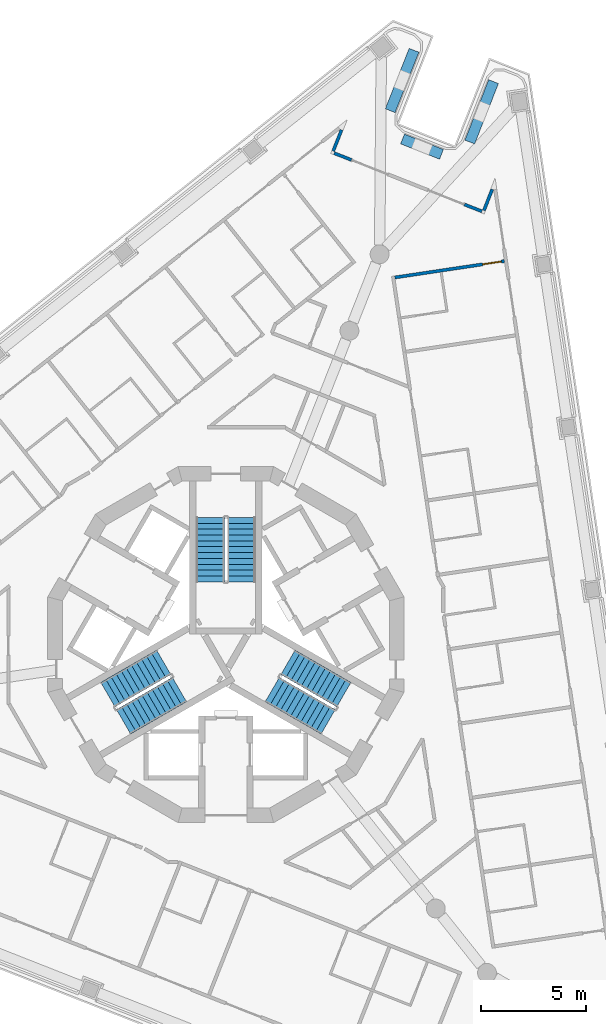
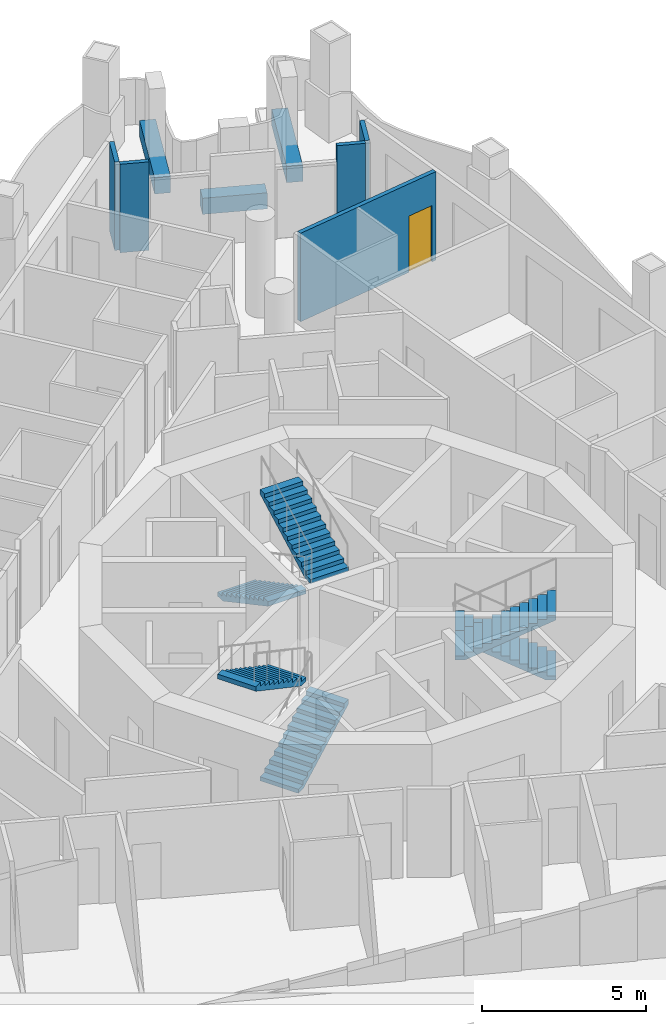
# One storey, part 10 of 17: 8 walls, 6 stair flights, 1 door, 1 opening, 3 elements without a shape of their own.
"""IFC4 building model written with IfcOpenShell, lengths in metres."""

from ifc_helpers import new_model, si_unit, direction, frame, frame_2d, origin, place, context, subcontext, project, spatial, polyline, rectangle, outline, extrude, material, layer, layer_set, type_object, element, fill, aggregate, save


model = new_model("IFC4")

# Units and contexts
model_context = context("Model", 3, precision=1e-05, world=origin(), true_north=direction((0.0, 1.0)))
body_context = subcontext(model_context, "Body", "Model", "MODEL_VIEW")
ifc_project = project(units=[si_unit("LENGTHUNIT", "METRE"), si_unit("AREAUNIT", "SQUARE_METRE"), si_unit("VOLUMEUNIT", "CUBIC_METRE"), si_unit("PLANEANGLEUNIT", "RADIAN"), si_unit("MASSUNIT", "GRAM", prefix="KILO")], contexts=[model_context])

# Site, building, storey
site_placement = place(None, origin())
site = spatial("IfcSite", under=ifc_project, at=site_placement, CompositionType="ELEMENT")
building_placement = place(site_placement, origin())
building = spatial("IfcBuilding", under=site, at=building_placement, Name="Trine Commons Tower", CompositionType="ELEMENT")
storey_placement = place(building_placement, frame((0.0, 0.0, 216.0)))
storey = spatial("IfcBuildingStorey", under=building, at=storey_placement, Name="L56", CompositionType="ELEMENT", Elevation=216.0)

# Walls
ifc_material_1 = material(Name="Aluminium-framed insulated wall panel", Category="aluminium")
ifc_layer_1 = layer(ifc_material_1, 0.14990234375)
ifc_layer_set_1 = layer_set([ifc_layer_1], Name="Aluminium-framed insulated wall panel")
wall_type_1 = type_object("IfcWallType", Name="Glazed frame wall 150, EI 60", PredefinedType="SOLIDWALL", material=ifc_layer_set_1)
wall_1_placement = place(storey_placement, frame((85.575927734375, 87.201171875, 0.0), z_axis=(0.0, 0.0, 1.0), x_axis=(-0.366472142006, -0.930429024232, 0.0)))
element("IfcWall", 1, at=wall_1_placement, inside=storey, type_object=wall_type_1, Name="Glazed frame wall R2", PredefinedType="SOLIDWALL", context=body_context, shape_type="SweptSolid", body=[
    extrude(outline(polyline([(0.1494140625, 0.074951171875), (0.1494140625, -0.074951171875), (1.235107421875, -0.074951171875), (1.235107421875, 0.074951171875), (0.1494140625, 0.074951171875)])), origin(), (0.0, 0.0, 1.0), 3.300048828125),
])
wall_2_placement = place(storey_placement, frame((85.063232421875, 85.9951171875, 0.0), z_axis=(0.0, 0.0, 1.0), x_axis=(0.930433620143, -0.366460473323, 0.0)))
element("IfcWall", 2, at=wall_2_placement, inside=storey, type_object=wall_type_1, Name="Glazed frame wall P1.1", PredefinedType="SOLIDWALL", context=body_context, shape_type="SweptSolid", body=[
    extrude(outline(polyline([(0.110107421875, -0.074951171875), (1.0, -0.074951171875), (1.0, 0.074951171875), (0.110107421875, 0.074951171875), (0.110107421875, -0.074951171875)])), origin(), (0.0, 0.0, 1.0), 3.300048828125),
])
wall_3_placement = place(storey_placement, frame((91.39013671875, 83.502685546875, 0.0), z_axis=(0.0, 0.0, 1.0), x_axis=(0.930433620143, -0.366460473323, 0.0)))
element("IfcWall", 3, at=wall_3_placement, inside=storey, type_object=wall_type_1, Name="Glazed frame wall P1.5", PredefinedType="SOLIDWALL", context=body_context, shape_type="SweptSolid", body=[
    extrude(outline(polyline([(0.889892578125, 0.074951171875), (0.0, 0.074951171875), (0.0, -0.074951171875), (0.889892578125, -0.074951171875), (0.889892578125, 0.074951171875)])), origin(), (0.0, 0.0, 1.0), 3.300048828125),
])
wall_4_placement = place(storey_placement, frame((92.275146484375, 83.11669921875, 0.0), z_axis=(0.0, 0.0, 1.0), x_axis=(0.366534042844, 0.9304046407, 0.0)))
element("IfcWall", 4, at=wall_4_placement, inside=storey, type_object=wall_type_1, Name="Glazed frame wall R4", PredefinedType="SOLIDWALL", context=body_context, shape_type="SweptSolid", body=[
    extrude(outline(polyline([(0.110107421875, 0.074951171875), (0.110107421875, -0.074951171875), (1.19580078125, -0.074951171875), (1.19580078125, 0.074951171875), (0.110107421875, 0.074951171875)])), origin(), (0.0, 0.0, 1.0), 3.300048828125),
])
ifc_material_2 = material(Name="Planter trough, precast concrete C40/50", Category="concrete")
ifc_layer_2 = layer(ifc_material_2, 0.5)
ifc_layer_set_2 = layer_set([ifc_layer_2], Name="Planter trough, precast concrete C40/50")
wall_type_2 = type_object("IfcWallType", Name="Planter trough 500x600", PredefinedType="PARAPET", material=ifc_layer_set_2)
wall_5_placement = place(storey_placement, frame((88.97998046875, 90.86328125, 0.0), z_axis=(0.0, 0.0, 1.0), x_axis=(-0.366456340628, -0.930435247835, 0.0)))
element("IfcWall", 5, at=wall_5_placement, inside=storey, type_object=wall_type_2, Name="Planter 4", PredefinedType="PARAPET", context=body_context, shape_type="SweptSolid", body=[
    extrude(rectangle(XDim=3.099853515625, YDim=0.5, at=frame_2d((1.5498046875, 0.0))), origin(), (0.0, 0.0, 1.0), 0.60009765625),
])
wall_6_placement = place(storey_placement, frame((88.430419921875, 86.630126953125, 0.0), z_axis=(0.0, 0.0, 1.0), x_axis=(0.930417223886, -0.366502100263, 0.0)))
element("IfcWall", 6, at=wall_6_placement, inside=storey, type_object=wall_type_2, Name="Planter 5", PredefinedType="PARAPET", context=body_context, shape_type="SweptSolid", body=[
    extrude(rectangle(XDim=1.999755859375, YDim=0.5, at=frame_2d((1.0, 0.0))), origin(), (0.0, 0.0, 1.0), 0.60009765625),
])
wall_7_placement = place(storey_placement, frame((91.639892578125, 86.483642578125, 0.0), z_axis=(0.0, 0.0, 1.0), x_axis=(0.366524518382, 0.930408392817, 0.0)))
element("IfcWall", 7, at=wall_7_placement, inside=storey, type_object=wall_type_2, Name="Planter 6", PredefinedType="PARAPET", context=body_context, shape_type="SweptSolid", body=[
    extrude(rectangle(XDim=3.10009765625, YDim=0.5, at=frame_2d((1.550048828125, 0.0))), origin(), (0.0, 0.0, 1.0), 0.60009765625),
])

# Wall, opening, door
ifc_material_3 = material(Name="Gypsum plasterboard on steel stud", Category="steel")
ifc_layer_3 = layer(ifc_material_3, 0.14990234375)
ifc_layer_set_3 = layer_set([ifc_layer_3], Name="Gypsum plasterboard on steel stud")
wall_type_3 = type_object("IfcWallType", Name="Unit and corridor wall 150 mm, EI 60", PredefinedType="PARTITIONING", material=ifc_layer_set_3)
wall_8_placement = place(storey_placement, frame((88.064208984375, 80.02099609375, 0.0), z_axis=(0.0, 0.0, 1.0), x_axis=(0.988994889639, 0.147949681543, 0.0)))
wall_8 = element("IfcWall", 8, at=wall_8_placement, inside=storey, type_object=wall_type_3, Name="Partition 105", PredefinedType="PARTITIONING", context=body_context, shape_type="SweptSolid", body=[
    extrude(rectangle(XDim=5.285400390625, YDim=0.14990234375, at=frame_2d((2.642578125, 0.0))), origin(), (0.0, 0.0, 1.0), 3.300048828125),
])
opening_placement = place(wall_8_placement, frame((4.2353515625, 0.0, 0.0)))
opening = element("IfcOpeningElement", 9, at=opening_placement, cuts=wall_8, Name="Opening D-6B13", PredefinedType="OPENING", context=body_context, shape_type="SweptSolid", body=[
    extrude(rectangle(XDim=0.89990234375, YDim=2.10009765625, at=frame_2d((0.449951171875, 1.050048828125))), frame((0.0, 0.0849609375, 0.0), z_axis=(0.0, -1.0, 0.0), x_axis=(1.0, 0.0, 0.0)), (0.0, 0.0, 1.0), 0.169921875),
])
ifc_material_4 = material(Name="Timber fire door set", Category="wood")
door_type = type_object("IfcDoorType", Name="Bedroom door 900 x 2100, FD30S", OperationType="NOTDEFINED", PredefinedType="DOOR", material=ifc_material_4)
door_placement = place(opening_placement, frame((0.89990234375, 0.0, 0.0), z_axis=(0.0, 0.0, 1.0), x_axis=(-1.0, 0.0, 0.0)))
door = element("IfcDoor", 10, at=door_placement, inside=storey, type_object=door_type, Name="Door D-6B13", OperationType="SINGLE_SWING_LEFT", OverallHeight=2.10009765625, OverallWidth=0.89990234375, PredefinedType="DOOR", context=body_context, shape_type="SweptSolid", body=[
    extrude(rectangle(XDim=0.89990234375, YDim=2.10009765625, at=frame_2d((0.449951171875, 1.050048828125))), frame((0.0, 0.02490234375, 0.0), z_axis=(0.0, -1.0, 0.0), x_axis=(1.0, 0.0, 0.0)), (0.0, 0.0, 1.0), 0.050048828125),
])
fill(opening, door)

# Stair, stair flights
ifc_material_5 = material(Name="Concrete C50/60", Category="concrete")
stair_type = type_object("IfcStairType", Name="Exit stair, dog-leg, 24 risers of 150 mm", PredefinedType="HALF_TURN_STAIR", material=ifc_material_5)
stair_1_placement = place(storey_placement, origin())
stair_1 = element("IfcStair", 11, at=stair_1_placement, inside=storey, type_object=stair_type, Name="L56 Exit stair ST1C", PredefinedType="HALF_TURN_STAIR")
stair_flight_type = type_object("IfcStairFlightType", Name="Stair flight, 1350 wide, 12 risers of 150 mm", PredefinedType="STRAIGHT", material=ifc_material_5)
stair_flight_1_placement = place(storey_placement, frame((79.25, 68.570556640625, 0.0), z_axis=(0.0, 0.0, 1.0), x_axis=(0.0, -1.0, 0.0)))
stair_flight_1 = element("IfcStairFlight", 12, at=stair_flight_1_placement, type_object=stair_flight_type, Name="ST1C flight 1", NumberOfRisers=12, NumberOfTreads=11, PredefinedType="STRAIGHT", RiserHeight=0.15, TreadLength=0.28, context=body_context, shape_type="SweptSolid", body=[
    extrude(outline(polyline([(0.0, 0.0), (0.0, 0.14990234375), (0.280029296875, 0.14990234375), (0.280029296875, 0.300048828125), (0.56005859375, 0.300048828125), (0.56005859375, 0.449951171875), (0.840087890625, 0.449951171875), (0.840087890625, 0.60009765625), (1.1201171875, 0.60009765625), (1.1201171875, 0.75), (1.39990234375, 0.75), (1.39990234375, 0.89990234375), (1.679931640625, 0.89990234375), (1.679931640625, 1.050048828125), (1.9599609375, 1.050048828125), (1.9599609375, 1.199951171875), (2.239990234375, 1.199951171875), (2.239990234375, 1.35009765625), (2.52001953125, 1.35009765625), (2.52001953125, 1.5), (2.800048828125, 1.5), (2.800048828125, 1.64990234375), (3.080078125, 1.64990234375), (3.080078125, 1.800048828125), (3.080078125, 1.47998046875), (0.3173828125, 0.0), (0.0, 0.0)])), frame((0.0, 0.675048828125, 0.0), z_axis=(0.0, -1.0, 0.0), x_axis=(1.0, 0.0, 0.0)), (0.0, 0.0, 1.0), 1.35009765625),
])
stair_flight_2_placement = place(storey_placement, frame((80.75, 65.490478515625, 1.800048828125), z_axis=(0.0, 0.0, 1.0), x_axis=(0.0, 1.0, 0.0)))
stair_flight_2 = element("IfcStairFlight", 13, at=stair_flight_2_placement, type_object=stair_flight_type, Name="ST1C flight 2", NumberOfRisers=12, NumberOfTreads=11, PredefinedType="STRAIGHT", RiserHeight=0.15, TreadLength=0.28, context=body_context, shape_type="SweptSolid", body=[
    extrude(outline(polyline([(0.0, 0.0), (0.0, 0.14990234375), (0.280029296875, 0.14990234375), (0.280029296875, 0.300048828125), (0.56005859375, 0.300048828125), (0.56005859375, 0.449951171875), (0.840087890625, 0.449951171875), (0.840087890625, 0.60009765625), (1.1201171875, 0.60009765625), (1.1201171875, 0.75), (1.39990234375, 0.75), (1.39990234375, 0.89990234375), (1.679931640625, 0.89990234375), (1.679931640625, 1.050048828125), (1.9599609375, 1.050048828125), (1.9599609375, 1.199951171875), (2.239990234375, 1.199951171875), (2.239990234375, 1.35009765625), (2.52001953125, 1.35009765625), (2.52001953125, 1.5), (2.800048828125, 1.5), (2.800048828125, 1.64990234375), (3.080078125, 1.64990234375), (3.080078125, 1.800048828125), (3.080078125, 1.47998046875), (0.3173828125, 0.0), (0.0, 0.0)])), frame((0.0, 0.675048828125, 0.0), z_axis=(0.0, -1.0, 0.0), x_axis=(1.0, 0.0, 0.0)), (0.0, 0.0, 1.0), 1.35009765625),
])
aggregate(stair_1, [stair_flight_1, stair_flight_2])

stair_2_placement = place(storey_placement, origin())
stair_2 = element("IfcStair", 14, at=stair_2_placement, inside=storey, type_object=stair_type, Name="L56 Exit stair ST2C", PredefinedType="HALF_TURN_STAIR")
stair_flight_3_placement = place(storey_placement, frame((75.11767578125, 58.815185546875, 0.0), z_axis=(0.0, 0.0, 1.0), x_axis=(0.866025403784, 0.5, 0.0)))
stair_flight_3 = element("IfcStairFlight", 15, at=stair_flight_3_placement, type_object=stair_flight_type, Name="ST2C flight 1", NumberOfRisers=12, NumberOfTreads=11, PredefinedType="STRAIGHT", RiserHeight=0.15, TreadLength=0.28, context=body_context, shape_type="SweptSolid", body=[
    extrude(outline(polyline([(0.0, 0.0), (0.0, 0.14990234375), (0.280029296875, 0.14990234375), (0.280029296875, 0.300048828125), (0.56005859375, 0.300048828125), (0.56005859375, 0.449951171875), (0.840087890625, 0.449951171875), (0.840087890625, 0.60009765625), (1.1201171875, 0.60009765625), (1.1201171875, 0.75), (1.39990234375, 0.75), (1.39990234375, 0.89990234375), (1.679931640625, 0.89990234375), (1.679931640625, 1.050048828125), (1.9599609375, 1.050048828125), (1.9599609375, 1.199951171875), (2.239990234375, 1.199951171875), (2.239990234375, 1.35009765625), (2.52001953125, 1.35009765625), (2.52001953125, 1.5), (2.800048828125, 1.5), (2.800048828125, 1.64990234375), (3.080078125, 1.64990234375), (3.080078125, 1.800048828125), (3.080078125, 1.47998046875), (0.3173828125, 0.0), (0.0, 0.0)])), frame((0.0, 0.675048828125, 0.0), z_axis=(0.0, -1.0, 0.0), x_axis=(1.0, 0.0, 0.0)), (0.0, 0.0, 1.0), 1.35009765625),
])
stair_flight_4_placement = place(storey_placement, frame((77.03515625, 61.654296875, 1.800048828125), z_axis=(0.0, 0.0, 1.0), x_axis=(-0.866025403784, -0.5, 0.0)))
stair_flight_4 = element("IfcStairFlight", 16, at=stair_flight_4_placement, type_object=stair_flight_type, Name="ST2C flight 2", NumberOfRisers=12, NumberOfTreads=11, PredefinedType="STRAIGHT", RiserHeight=0.15, TreadLength=0.28, context=body_context, shape_type="SweptSolid", body=[
    extrude(outline(polyline([(0.0, 0.0), (0.0, 0.14990234375), (0.280029296875, 0.14990234375), (0.280029296875, 0.300048828125), (0.56005859375, 0.300048828125), (0.56005859375, 0.449951171875), (0.840087890625, 0.449951171875), (0.840087890625, 0.60009765625), (1.1201171875, 0.60009765625), (1.1201171875, 0.75), (1.39990234375, 0.75), (1.39990234375, 0.89990234375), (1.679931640625, 0.89990234375), (1.679931640625, 1.050048828125), (1.9599609375, 1.050048828125), (1.9599609375, 1.199951171875), (2.239990234375, 1.199951171875), (2.239990234375, 1.35009765625), (2.52001953125, 1.35009765625), (2.52001953125, 1.5), (2.800048828125, 1.5), (2.800048828125, 1.64990234375), (3.080078125, 1.64990234375), (3.080078125, 1.800048828125), (3.080078125, 1.47998046875), (0.3173828125, 0.0), (0.0, 0.0)])), frame((0.0, 0.675048828125, 0.0), z_axis=(0.0, -1.0, 0.0), x_axis=(1.0, 0.0, 0.0)), (0.0, 0.0, 1.0), 1.35009765625),
])
aggregate(stair_2, [stair_flight_3, stair_flight_4])

stair_3_placement = place(storey_placement, origin())
stair_3 = element("IfcStair", 17, at=stair_3_placement, inside=storey, type_object=stair_type, Name="L56 Exit stair ST3C", PredefinedType="HALF_TURN_STAIR")
stair_flight_5_placement = place(storey_placement, frame((85.63232421875, 60.1142578125, 0.0), z_axis=(0.0, 0.0, 1.0), x_axis=(-0.866025403784, 0.5, 0.0)))
stair_flight_5 = element("IfcStairFlight", 18, at=stair_flight_5_placement, type_object=stair_flight_type, Name="ST3C flight 1", NumberOfRisers=12, NumberOfTreads=11, PredefinedType="STRAIGHT", RiserHeight=0.15, TreadLength=0.28, context=body_context, shape_type="SweptSolid", body=[
    extrude(outline(polyline([(0.0, 0.0), (0.0, 0.14990234375), (0.280029296875, 0.14990234375), (0.280029296875, 0.300048828125), (0.56005859375, 0.300048828125), (0.56005859375, 0.449951171875), (0.840087890625, 0.449951171875), (0.840087890625, 0.60009765625), (1.1201171875, 0.60009765625), (1.1201171875, 0.75), (1.39990234375, 0.75), (1.39990234375, 0.89990234375), (1.679931640625, 0.89990234375), (1.679931640625, 1.050048828125), (1.9599609375, 1.050048828125), (1.9599609375, 1.199951171875), (2.239990234375, 1.199951171875), (2.239990234375, 1.35009765625), (2.52001953125, 1.35009765625), (2.52001953125, 1.5), (2.800048828125, 1.5), (2.800048828125, 1.64990234375), (3.080078125, 1.64990234375), (3.080078125, 1.800048828125), (3.080078125, 1.47998046875), (0.3173828125, 0.0), (0.0, 0.0)])), frame((0.0, 0.675048828125, 0.0), z_axis=(0.0, -1.0, 0.0), x_axis=(1.0, 0.0, 0.0)), (0.0, 0.0, 1.0), 1.35009765625),
])
stair_flight_6_placement = place(storey_placement, frame((82.21484375, 60.355224609375, 1.800048828125), z_axis=(0.0, 0.0, 1.0), x_axis=(0.866025403784, -0.5, 0.0)))
stair_flight_6 = element("IfcStairFlight", 19, at=stair_flight_6_placement, type_object=stair_flight_type, Name="ST3C flight 2", NumberOfRisers=12, NumberOfTreads=11, PredefinedType="STRAIGHT", RiserHeight=0.15, TreadLength=0.28, context=body_context, shape_type="SweptSolid", body=[
    extrude(outline(polyline([(0.0, 0.0), (0.0, 0.14990234375), (0.280029296875, 0.14990234375), (0.280029296875, 0.300048828125), (0.56005859375, 0.300048828125), (0.56005859375, 0.449951171875), (0.840087890625, 0.449951171875), (0.840087890625, 0.60009765625), (1.1201171875, 0.60009765625), (1.1201171875, 0.75), (1.39990234375, 0.75), (1.39990234375, 0.89990234375), (1.679931640625, 0.89990234375), (1.679931640625, 1.050048828125), (1.9599609375, 1.050048828125), (1.9599609375, 1.199951171875), (2.239990234375, 1.199951171875), (2.239990234375, 1.35009765625), (2.52001953125, 1.35009765625), (2.52001953125, 1.5), (2.800048828125, 1.5), (2.800048828125, 1.64990234375), (3.080078125, 1.64990234375), (3.080078125, 1.800048828125), (3.080078125, 1.47998046875), (0.3173828125, 0.0), (0.0, 0.0)])), frame((0.0, 0.675048828125, 0.0), z_axis=(0.0, -1.0, 0.0), x_axis=(1.0, 0.0, 0.0)), (0.0, 0.0, 1.0), 1.35009765625),
])
aggregate(stair_3, [stair_flight_5, stair_flight_6])

save(model, "model.ifc")
